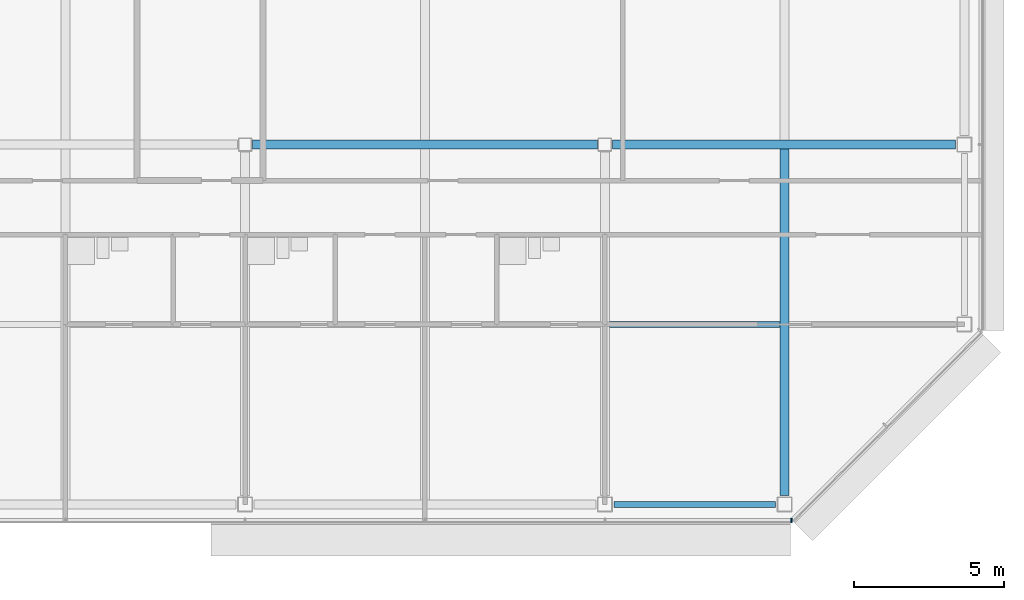
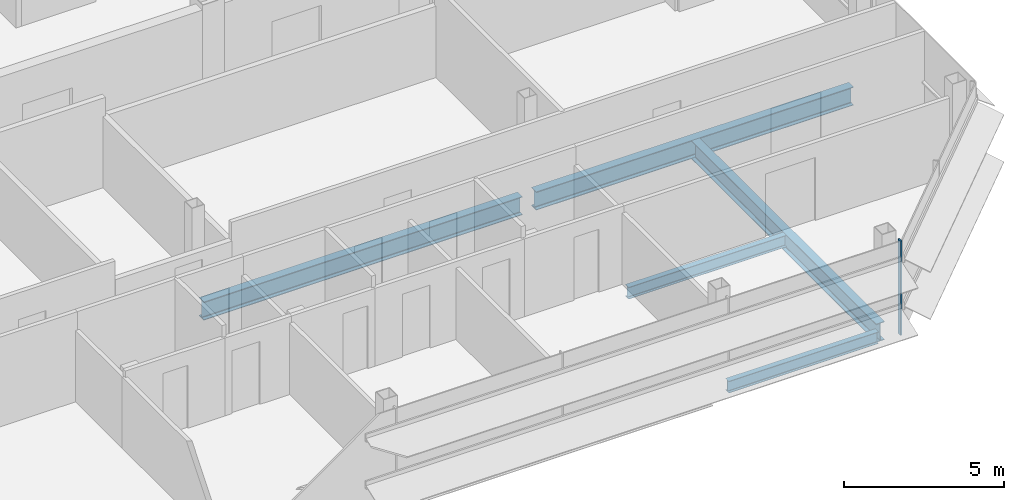
# One storey, part 11 of 28: 5 beams, 1 member, 1 element without a shape of its own.
"""IFC4 building model written with IfcOpenShell, lengths in metres."""

from ifc_helpers import new_model, si_unit, direction, frame, origin, origin_2d, place, context, subcontext, project, spatial, rectangle, i_section, extrude, material, material_profile, profile_set, type_object, element, aggregate, save


model = new_model("IFC4")

# Units and contexts
model_context = context("Model", 3, precision=1e-05, world=origin(), true_north=direction((0.0, 1.0)))
body_context = subcontext(model_context, "Body", "Model", "MODEL_VIEW")
ifc_project = project(units=[si_unit("LENGTHUNIT", "METRE"), si_unit("AREAUNIT", "SQUARE_METRE"), si_unit("VOLUMEUNIT", "CUBIC_METRE"), si_unit("PLANEANGLEUNIT", "RADIAN"), si_unit("MASSUNIT", "GRAM", prefix="KILO")], contexts=[model_context])

# Site, building, storey
site_placement = place(None, origin())
site = spatial("IfcSite", under=ifc_project, at=site_placement, CompositionType="ELEMENT")
building_placement = place(site_placement, origin())
building = spatial("IfcBuilding", under=site, at=building_placement, Name="Sorahane Residences", CompositionType="ELEMENT")
storey_placement = place(building_placement, frame((0.0, 0.0, 301.60009765625)))
storey = spatial("IfcBuildingStorey", under=building, at=storey_placement, Name="L71", CompositionType="ELEMENT", Elevation=301.60009765625)

# Curtain wall, member
ifc_material_1 = material(Name="Dark low-e glass and black anodised aluminium", Category="aluminium")
curtain_wall_type = type_object("IfcCurtainWallType", Name="Curtain wall CW-1 Typical unitised wall", PredefinedType="NOTDEFINED", material=ifc_material_1)
curtain_wall_placement = place(storey_placement, origin())
curtain_wall = element("IfcCurtainWall", 1, at=curtain_wall_placement, inside=storey, type_object=curtain_wall_type, Name="CW-1 curtain wall L71 S1", PredefinedType="NOTDEFINED")
ifc_material_2 = material(Name="Black anodised aluminium", Category="aluminium")
ifc_material_profile_1 = material_profile(ifc_material_2, rectangle(XDim=0.159912109375, YDim=0.050048828125, at=origin_2d()), Name="Curtain wall mullion CW-1 black anodised aluminium 50x160")
ifc_profile_set_1 = profile_set([ifc_material_profile_1], Name="Black anodised aluminium")
member_type = type_object("IfcMemberType", Name="Curtain wall mullion CW-1 black anodised aluminium 50x160", PredefinedType="MULLION", material=ifc_profile_set_1)
member_placement = place(storey_placement, frame((42.2236328125, -0.5400390625, -0.18017578125), z_axis=(0.0, 0.0, 1.0), x_axis=(0.0, -1.0, 0.0)))
member = element("IfcMember", 2, at=member_placement, type_object=member_type, Name="CW-1 mullion L71 S1.10", PredefinedType="MULLION", context=body_context, shape_type="SweptSolid", body=[
    extrude(rectangle(XDim=0.159912109375, YDim=0.050048828125, at=origin_2d()), origin(), (0.0, 0.0, 1.0), 3.60009765625),
])
aggregate(curtain_wall, [member])

# Beams
ifc_material_3 = material(Name="Steel Q355B", Category="steel")
ifc_material_profile_2 = material_profile(ifc_material_3, i_section(OverallWidth=0.199951171875, OverallDepth=0.449951171875, WebThickness=0.009033203125, FlangeThickness=0.013916015625, FilletRadius=0.02001953125, at=origin_2d()), Name="HN 450x200x9x14")
ifc_profile_set_2 = profile_set([ifc_material_profile_2], Name="Steel Q355B")
beam_type_1 = type_object("IfcBeamType", Name="Steel floor beam HN 450x200x9x14 Q355B", PredefinedType="BEAM", material=ifc_profile_set_2)
beam_1_placement = place(storey_placement, frame((36.300048828125, 0.0, -0.405029296875), z_axis=(1.0, 0.0, 0.0), x_axis=(0.0, 1.0, 0.0)))
element("IfcBeam", 3, at=beam_1_placement, inside=storey, type_object=beam_type_1, Name="Beam L71 004", PredefinedType="BEAM", context=body_context, shape_type="SweptSolid", body=[
    extrude(i_section(OverallWidth=0.199951171875, OverallDepth=0.449951171875, WebThickness=0.009033203125, FlangeThickness=0.013916015625, FilletRadius=0.02001953125, at=origin_2d()), origin(), (0.0, 0.0, 1.0), 5.39990234375),
])
beam_2_placement = place(storey_placement, frame((36.14990234375, 6.0, -0.405029296875), z_axis=(1.0, 0.0, 0.0), x_axis=(0.0, 1.0, 0.0)))
element("IfcBeam", 4, at=beam_2_placement, inside=storey, type_object=beam_type_1, Name="Beam L71 074", PredefinedType="BEAM", context=body_context, shape_type="SweptSolid", body=[
    extrude(i_section(OverallWidth=0.199951171875, OverallDepth=0.449951171875, WebThickness=0.009033203125, FlangeThickness=0.013916015625, FilletRadius=0.02001953125, at=origin_2d()), origin(), (0.0, 0.0, 1.0), 5.7001953125),
])
ifc_material_4 = material(Name="Steel Q355B", Category="steel")
ifc_material_profile_3 = material_profile(ifc_material_4, i_section(OverallWidth=0.300048828125, OverallDepth=0.699951171875, WebThickness=0.012939453125, FlangeThickness=0.02392578125, FilletRadius=0.028076171875, at=origin_2d()), Name="HN 700x300x13x24")
ifc_profile_set_3 = profile_set([ifc_material_profile_3], Name="Steel Q355B")
beam_type_2 = type_object("IfcBeamType", Name="Steel floor beam HN 700x300x13x24 Q355B", PredefinedType="BEAM", material=ifc_profile_set_3)
beam_3_placement = place(storey_placement, frame((24.25, 12.0, -0.530029296875), z_axis=(1.0, 0.0, 0.0), x_axis=(0.0, 1.0, 0.0)))
element("IfcBeam", 5, at=beam_3_placement, inside=storey, type_object=beam_type_2, Name="Beam L71 009", PredefinedType="BEAM", context=body_context, shape_type="SweptSolid", body=[
    extrude(i_section(OverallWidth=0.300048828125, OverallDepth=0.699951171875, WebThickness=0.012939453125, FlangeThickness=0.02392578125, FilletRadius=0.028076171875, at=origin_2d()), origin(), (0.0, 0.0, 1.0), 11.5),
])
beam_4_placement = place(storey_placement, frame((36.25, 12.0, -0.530029296875), z_axis=(1.0, 0.0, 0.0), x_axis=(0.0, 1.0, 0.0)))
element("IfcBeam", 6, at=beam_4_placement, inside=storey, type_object=beam_type_2, Name="Beam L71 010", PredefinedType="BEAM", context=body_context, shape_type="SweptSolid", body=[
    extrude(i_section(OverallWidth=0.300048828125, OverallDepth=0.699951171875, WebThickness=0.012939453125, FlangeThickness=0.02392578125, FilletRadius=0.028076171875, at=origin_2d()), origin(), (0.0, 0.0, 1.0), 11.449951171875),
])
beam_5_placement = place(storey_placement, frame((42.0, 0.300048828125, -0.530029296875), z_axis=(0.0, 1.0, 0.0), x_axis=(-1.0, 0.0, 0.0)))
element("IfcBeam", 7, at=beam_5_placement, inside=storey, type_object=beam_type_2, Name="Beam L71 056", PredefinedType="BEAM", context=body_context, shape_type="SweptSolid", body=[
    extrude(i_section(OverallWidth=0.300048828125, OverallDepth=0.699951171875, WebThickness=0.012939453125, FlangeThickness=0.02392578125, FilletRadius=0.028076171875, at=origin_2d()), origin(), (0.0, 0.0, 1.0), 11.550048828125),
])

save(model, "model.ifc")
